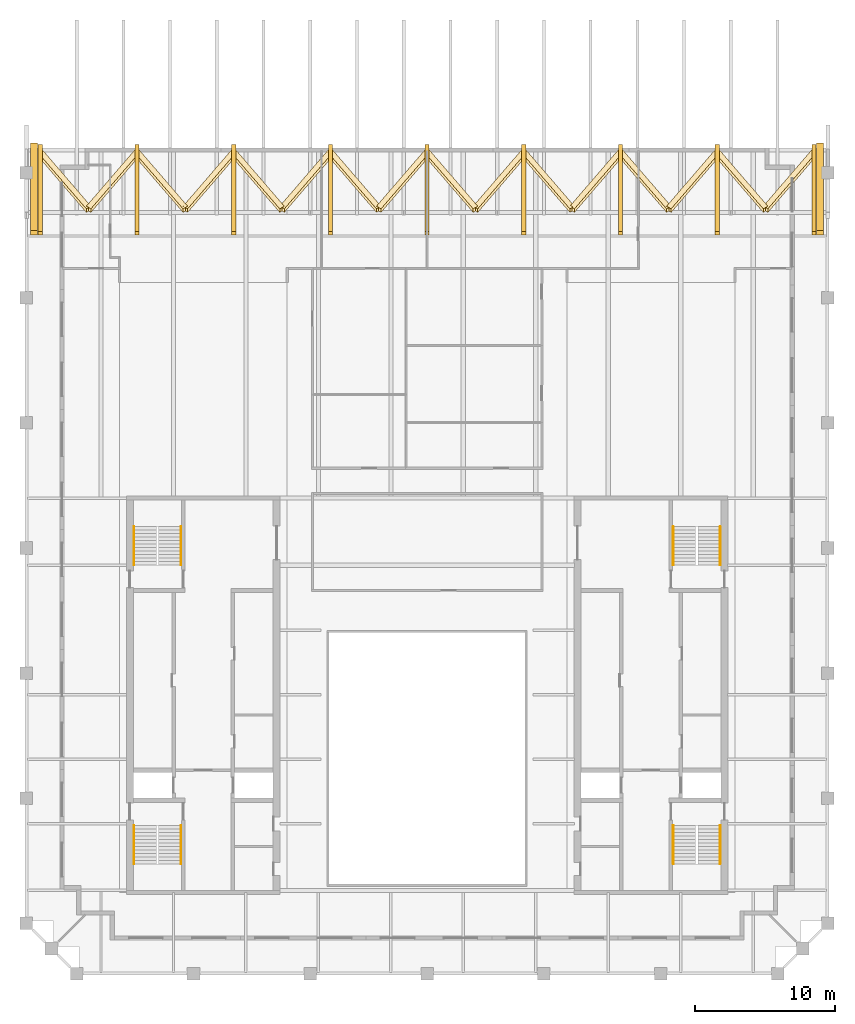
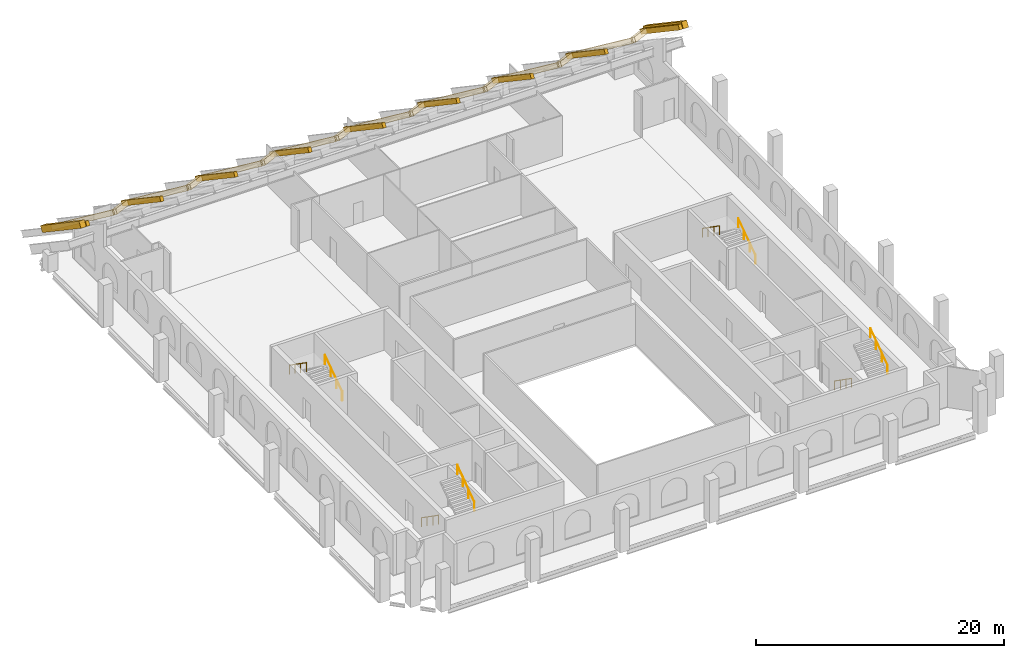
# One storey, part 9 of 9: 27 coverings, 8 railings.
"""IFC4 building model written with IfcOpenShell, lengths in metres."""

from ifc_helpers import new_model, si_unit, direction, frame, origin, origin_2d, place, context, subcontext, project, spatial, rectangle, circle, extrude, material, material_profile, profile_set, type_object, element, save


model = new_model("IFC4")

# Units and contexts
model_context = context("Model", 3, precision=1e-05, world=origin(), true_north=direction((0.0, 1.0)))
body_context = subcontext(model_context, "Body", "Model", "MODEL_VIEW")
ifc_project = project(units=[si_unit("LENGTHUNIT", "METRE"), si_unit("AREAUNIT", "SQUARE_METRE"), si_unit("VOLUMEUNIT", "CUBIC_METRE"), si_unit("PLANEANGLEUNIT", "RADIAN"), si_unit("MASSUNIT", "GRAM", prefix="KILO")], contexts=[model_context])

# Site, building, storey
site_placement = place(None, origin())
site = spatial("IfcSite", under=ifc_project, at=site_placement, CompositionType="ELEMENT")
building_placement = place(site_placement, origin())
building = spatial("IfcBuilding", under=site, at=building_placement, Name="Ogive Exchange Tower", CompositionType="ELEMENT")
storey_placement = place(building_placement, frame((0.0, 0.0, 373.199951171875)))
storey = spatial("IfcBuildingStorey", under=building, at=storey_placement, Name="C02", CompositionType="ELEMENT", Elevation=373.199951171875)

# Railings
ifc_material_1 = material(Name="Stainless steel", Category="steel")
railing_type = type_object("IfcRailingType", Name="Stair handrail 900", PredefinedType="HANDRAIL", material=ifc_material_1)
railing_1_placement = place(storey_placement, frame((-20.949951171875, 2.199951171875, 0.175048828125)))
element("IfcRailing", 1, at=railing_1_placement, inside=storey, type_object=railing_type, Name="C02 ST1 stair handrail 1", PredefinedType="HANDRAIL", context=body_context, shape_type="SweptSolid", body=[
    extrude(circle(Radius=0.02392578125, at=origin_2d()), frame((0.0, 0.0, 0.8759765625), z_axis=(0.0, -0.819225086817, 0.573472106672), x_axis=(1.0, 0.0, 0.0)), (0.0, 0.0, 1.0), 3.35693359375),
    extrude(circle(Radius=0.02099609375, at=origin_2d()), origin(), (0.0, 0.0, 1.0), 0.851806640625),
    extrude(circle(Radius=0.02099609375, at=origin_2d()), frame((0.0, -0.916748046875, 0.6416015625)), (0.0, 0.0, 1.0), 0.851806640625),
    extrude(circle(Radius=0.02099609375, at=origin_2d()), frame((0.0, -1.833251953125, 1.283447265625)), (0.0, 0.0, 1.0), 0.851806640625),
    extrude(circle(Radius=0.02099609375, at=origin_2d()), frame((0.0, -2.75, 1.925048828125)), (0.0, 0.0, 1.0), 0.851806640625),
])
railing_2_placement = place(storey_placement, frame((-17.60009765625, -0.550048828125, 2.275146484375)))
element("IfcRailing", 2, at=railing_2_placement, inside=storey, type_object=railing_type, Name="C02 ST1 stair handrail 2", PredefinedType="HANDRAIL", context=body_context, shape_type="SweptSolid", body=[
    extrude(circle(Radius=0.02392578125, at=origin_2d()), frame((0.0, 0.0, 0.8759765625), z_axis=(0.0, 0.819259255306, 0.573423292687), x_axis=(-1.0, 0.0, 0.0)), (0.0, 0.0, 1.0), 3.356689453125),
    extrude(circle(Radius=0.02099609375, at=origin_2d()), origin(), (0.0, 0.0, 1.0), 0.851806640625),
    extrude(circle(Radius=0.02099609375, at=origin_2d()), frame((0.0, 0.916748046875, 0.6416015625)), (0.0, 0.0, 1.0), 0.851806640625),
    extrude(circle(Radius=0.02099609375, at=origin_2d()), frame((0.0, 1.833251953125, 1.283203125)), (0.0, 0.0, 1.0), 0.851806640625),
    extrude(circle(Radius=0.02099609375, at=origin_2d()), frame((0.0, 2.75, 1.9248046875)), (0.0, 0.0, 1.0), 0.851806640625),
])
railing_3_placement = place(storey_placement, frame((-17.60009765625, 20.800048828125, 0.175048828125)))
element("IfcRailing", 3, at=railing_3_placement, inside=storey, type_object=railing_type, Name="C02 ST2 stair handrail 1", PredefinedType="HANDRAIL", context=body_context, shape_type="SweptSolid", body=[
    extrude(circle(Radius=0.02392578125, at=origin_2d()), frame((0.0, 0.0, 0.8759765625), z_axis=(0.0, 0.819225086817, 0.573472106672), x_axis=(-1.0, 0.0, 0.0)), (0.0, 0.0, 1.0), 3.35693359375),
    extrude(circle(Radius=0.02099609375, at=origin_2d()), origin(), (0.0, 0.0, 1.0), 0.851806640625),
    extrude(circle(Radius=0.02099609375, at=origin_2d()), frame((0.0, 0.916748046875, 0.6416015625)), (0.0, 0.0, 1.0), 0.851806640625),
    extrude(circle(Radius=0.02099609375, at=origin_2d()), frame((0.0, 1.833251953125, 1.283447265625)), (0.0, 0.0, 1.0), 0.851806640625),
    extrude(circle(Radius=0.02099609375, at=origin_2d()), frame((0.0, 2.75, 1.925048828125)), (0.0, 0.0, 1.0), 0.851806640625),
])
railing_4_placement = place(storey_placement, frame((-20.949951171875, 23.550048828125, 2.275146484375)))
element("IfcRailing", 4, at=railing_4_placement, inside=storey, type_object=railing_type, Name="C02 ST2 stair handrail 2", PredefinedType="HANDRAIL", context=body_context, shape_type="SweptSolid", body=[
    extrude(circle(Radius=0.02392578125, at=origin_2d()), frame((0.0, 0.0, 0.8759765625), z_axis=(0.0, -0.819259255306, 0.573423292687), x_axis=(1.0, 0.0, 0.0)), (0.0, 0.0, 1.0), 3.356689453125),
    extrude(circle(Radius=0.02099609375, at=origin_2d()), origin(), (0.0, 0.0, 1.0), 0.851806640625),
    extrude(circle(Radius=0.02099609375, at=origin_2d()), frame((0.0, -0.916748046875, 0.6416015625)), (0.0, 0.0, 1.0), 0.851806640625),
    extrude(circle(Radius=0.02099609375, at=origin_2d()), frame((0.0, -1.833251953125, 1.283203125)), (0.0, 0.0, 1.0), 0.851806640625),
    extrude(circle(Radius=0.02099609375, at=origin_2d()), frame((0.0, -2.75, 1.9248046875)), (0.0, 0.0, 1.0), 0.851806640625),
])
railing_5_placement = place(storey_placement, frame((17.60009765625, 2.199951171875, 0.175048828125)))
element("IfcRailing", 5, at=railing_5_placement, inside=storey, type_object=railing_type, Name="C02 ST3 stair handrail 1", PredefinedType="HANDRAIL", context=body_context, shape_type="SweptSolid", body=[
    extrude(circle(Radius=0.02392578125, at=origin_2d()), frame((0.0, 0.0, 0.8759765625), z_axis=(0.0, -0.819225086817, 0.573472106672), x_axis=(1.0, 0.0, 0.0)), (0.0, 0.0, 1.0), 3.35693359375),
    extrude(circle(Radius=0.02099609375, at=origin_2d()), origin(), (0.0, 0.0, 1.0), 0.851806640625),
    extrude(circle(Radius=0.02099609375, at=origin_2d()), frame((0.0, -0.916748046875, 0.6416015625)), (0.0, 0.0, 1.0), 0.851806640625),
    extrude(circle(Radius=0.02099609375, at=origin_2d()), frame((0.0, -1.833251953125, 1.283447265625)), (0.0, 0.0, 1.0), 0.851806640625),
    extrude(circle(Radius=0.02099609375, at=origin_2d()), frame((0.0, -2.75, 1.925048828125)), (0.0, 0.0, 1.0), 0.851806640625),
])
railing_6_placement = place(storey_placement, frame((20.949951171875, -0.550048828125, 2.275146484375)))
element("IfcRailing", 6, at=railing_6_placement, inside=storey, type_object=railing_type, Name="C02 ST3 stair handrail 2", PredefinedType="HANDRAIL", context=body_context, shape_type="SweptSolid", body=[
    extrude(circle(Radius=0.02392578125, at=origin_2d()), frame((0.0, 0.0, 0.8759765625), z_axis=(0.0, 0.819259255306, 0.573423292687), x_axis=(-1.0, 0.0, 0.0)), (0.0, 0.0, 1.0), 3.356689453125),
    extrude(circle(Radius=0.02099609375, at=origin_2d()), origin(), (0.0, 0.0, 1.0), 0.851806640625),
    extrude(circle(Radius=0.02099609375, at=origin_2d()), frame((0.0, 0.916748046875, 0.6416015625)), (0.0, 0.0, 1.0), 0.851806640625),
    extrude(circle(Radius=0.02099609375, at=origin_2d()), frame((0.0, 1.833251953125, 1.283203125)), (0.0, 0.0, 1.0), 0.851806640625),
    extrude(circle(Radius=0.02099609375, at=origin_2d()), frame((0.0, 2.75, 1.9248046875)), (0.0, 0.0, 1.0), 0.851806640625),
])
railing_7_placement = place(storey_placement, frame((20.949951171875, 20.800048828125, 0.175048828125)))
element("IfcRailing", 7, at=railing_7_placement, inside=storey, type_object=railing_type, Name="C02 ST4 stair handrail 1", PredefinedType="HANDRAIL", context=body_context, shape_type="SweptSolid", body=[
    extrude(circle(Radius=0.02392578125, at=origin_2d()), frame((0.0, 0.0, 0.8759765625), z_axis=(0.0, 0.819225086817, 0.573472106672), x_axis=(-1.0, 0.0, 0.0)), (0.0, 0.0, 1.0), 3.35693359375),
    extrude(circle(Radius=0.02099609375, at=origin_2d()), origin(), (0.0, 0.0, 1.0), 0.851806640625),
    extrude(circle(Radius=0.02099609375, at=origin_2d()), frame((0.0, 0.916748046875, 0.6416015625)), (0.0, 0.0, 1.0), 0.851806640625),
    extrude(circle(Radius=0.02099609375, at=origin_2d()), frame((0.0, 1.833251953125, 1.283447265625)), (0.0, 0.0, 1.0), 0.851806640625),
    extrude(circle(Radius=0.02099609375, at=origin_2d()), frame((0.0, 2.75, 1.925048828125)), (0.0, 0.0, 1.0), 0.851806640625),
])
railing_8_placement = place(storey_placement, frame((17.60009765625, 23.550048828125, 2.275146484375)))
element("IfcRailing", 8, at=railing_8_placement, inside=storey, type_object=railing_type, Name="C02 ST4 stair handrail 2", PredefinedType="HANDRAIL", context=body_context, shape_type="SweptSolid", body=[
    extrude(circle(Radius=0.02392578125, at=origin_2d()), frame((0.0, 0.0, 0.8759765625), z_axis=(0.0, -0.819259255306, 0.573423292687), x_axis=(1.0, 0.0, 0.0)), (0.0, 0.0, 1.0), 3.356689453125),
    extrude(circle(Radius=0.02099609375, at=origin_2d()), origin(), (0.0, 0.0, 1.0), 0.851806640625),
    extrude(circle(Radius=0.02099609375, at=origin_2d()), frame((0.0, -0.916748046875, 0.6416015625)), (0.0, 0.0, 1.0), 0.851806640625),
    extrude(circle(Radius=0.02099609375, at=origin_2d()), frame((0.0, -1.833251953125, 1.283203125)), (0.0, 0.0, 1.0), 0.851806640625),
    extrude(circle(Radius=0.02099609375, at=origin_2d()), frame((0.0, -2.75, 1.9248046875)), (0.0, 0.0, 1.0), 0.851806640625),
])

# Coverings
ifc_material_2 = material(Name="Limestone cladding on precast concrete", Category="masonry")
ifc_material_profile_1 = material_profile(ifc_material_2, rectangle(XDim=0.5, YDim=0.60009765625, at=origin_2d()), Name="CORNICE 500 x 600")
ifc_profile_set_1 = profile_set([ifc_material_profile_1], Name="Limestone cladding on precast concrete")
covering_type_1 = type_object("IfcCoveringType", Name="Stone cornice course 500 x 600", PredefinedType="CLADDING", material=ifc_profile_set_1)
for number, where, z_axis, x_axis, name in (
    (9, (-28.10009765625, 44.569091796875, 6.84912109375), (0.0, 0.829042691827, -0.559185313762), (-1.0, 0.0, 0.0), "Stone cornice course"),
    (10, (28.10009765625, 44.569091796875, 6.84912109375), (0.0, 0.829042691827, -0.559185313762), (-1.0, 0.0, 0.0), "Stone cornice course"),
):
    element("IfcCovering", number, at=place(storey_placement, frame(where, z_axis=z_axis, x_axis=x_axis)), inside=storey, type_object=covering_type_1, Name=name, PredefinedType="CLADDING", context=body_context, shape_type="SweptSolid", body=[
        extrude(rectangle(XDim=0.5, YDim=0.60009765625, at=origin_2d()), origin(), (0.0, 0.0, 1.0), 7.5107421875),
    ])
ifc_material_profile_2 = material_profile(ifc_material_2, rectangle(XDim=0.300048828125, YDim=0.449951171875, at=origin_2d()), Name="RIB 300 x 450")
ifc_profile_set_2 = profile_set([ifc_material_profile_2], Name="Limestone cladding on precast concrete")
covering_type_2 = type_object("IfcCoveringType", Name="Stone roof rib 300 x 450", PredefinedType="CLADDING", material=ifc_profile_set_2)
for number, where, z_axis, x_axis, name in (
    (11, (-27.64990234375, 50.75390625, 2.5859375), (0.0, -0.828967346188, 0.559297004242), (1.0, 0.0, 0.0), "Stone roof rib"),
    (12, (-20.737060546875, 50.75390625, 2.5859375), (0.0, -0.828967346188, 0.559297004242), (1.0, 0.0, 0.0), "Stone roof rib"),
    (13, (-13.824951171875, 50.75390625, 2.5859375), (0.0, -0.828967346188, 0.559297004242), (1.0, 0.0, 0.0), "Stone roof rib"),
    (14, (-6.9130859375, 50.75390625, 2.5859375), (0.0, -0.828967346188, 0.559297004242), (1.0, 0.0, 0.0), "Stone roof rib"),
    (15, (0.0, 50.75390625, 2.5859375), (0.0, -0.828967346188, 0.559297004242), (1.0, 0.0, 0.0), "Stone roof rib"),
    (16, (6.9130859375, 50.75390625, 2.5859375), (0.0, -0.828967346188, 0.559297004242), (1.0, 0.0, 0.0), "Stone roof rib"),
    (17, (13.824951171875, 50.75390625, 2.5859375), (0.0, -0.828967346188, 0.559297004242), (1.0, 0.0, 0.0), "Stone roof rib"),
    (18, (20.737060546875, 50.75390625, 2.5859375), (0.0, -0.828967346188, 0.559297004242), (1.0, 0.0, 0.0), "Stone roof rib"),
    (19, (27.64990234375, 50.75390625, 2.5859375), (0.0, -0.828967346188, 0.559297004242), (1.0, 0.0, 0.0), "Stone roof rib"),
):
    element("IfcCovering", number, at=place(storey_placement, frame(where, z_axis=z_axis, x_axis=x_axis)), inside=storey, type_object=covering_type_2, Name=name, PredefinedType="CLADDING", context=body_context, shape_type="SweptSolid", body=[
        extrude(rectangle(XDim=0.300048828125, YDim=0.449951171875, at=origin_2d()), origin(), (0.0, 0.0, 1.0), 7.511474609375),
    ])
ifc_material_profile_3 = material_profile(ifc_material_2, rectangle(XDim=0.39990234375, YDim=0.449951171875, at=origin_2d()), Name="TRACERY 400 x 450")
ifc_profile_set_3 = profile_set([ifc_material_profile_3], Name="Limestone cladding on precast concrete")
covering_type_3 = type_object("IfcCoveringType", Name="Stone tracery arch 400 x 450", PredefinedType="CLADDING", material=ifc_profile_set_3)
covering_1_placement = place(storey_placement, frame((-27.64990234375, 50.25390625, 2.924072265625), z_axis=(0.581147534027, -0.674673078535, 0.455064589696), x_axis=(0.813798219588, 0.481769317244, -0.325008896428)))
element("IfcCovering", 20, at=covering_1_placement, inside=storey, type_object=covering_type_3, Name="Stone tracery arch", PredefinedType="CLADDING", context=body_context, shape_type="SweptSolid", body=[
    extrude(rectangle(XDim=0.39990234375, YDim=0.449951171875, at=origin_2d()), origin(), (0.0, 0.0, 1.0), 5.946533203125),
])
covering_2_placement = place(storey_placement, frame((-20.737060546875, 50.25390625, 2.924072265625), z_axis=(-0.581283459948, -0.674592591619, 0.455010301558), x_axis=(0.813701135867, -0.481926443477, 0.325019021853)))
element("IfcCovering", 21, at=covering_2_placement, inside=storey, type_object=covering_type_3, Name="Stone tracery arch", PredefinedType="CLADDING", context=body_context, shape_type="SweptSolid", body=[
    extrude(rectangle(XDim=0.39990234375, YDim=0.449951171875, at=origin_2d()), origin(), (0.0, 0.0, 1.0), 5.947265625),
])
for number, where, z_axis, x_axis, name in (
    (22, (-20.737060546875, 50.25390625, 2.924072265625), (0.581174723103, -0.674656981121, 0.455053732048), (0.813778803618, 0.481820266966, -0.324981982766), "Stone tracery arch"),
    (23, (-13.824951171875, 50.25390625, 2.924072265625), (-0.581174723103, -0.674656981121, 0.455053732048), (0.813778803618, -0.481820266966, 0.324981982766), "Stone tracery arch"),
    (24, (-13.824951171875, 50.25390625, 2.924072265625), (0.581174723103, -0.674656981121, 0.455053732048), (0.813778803618, 0.481820266966, -0.324981982766), "Stone tracery arch"),
):
    element("IfcCovering", number, at=place(storey_placement, frame(where, z_axis=z_axis, x_axis=x_axis)), inside=storey, type_object=covering_type_3, Name=name, PredefinedType="CLADDING", context=body_context, shape_type="SweptSolid", body=[
        extrude(rectangle(XDim=0.39990234375, YDim=0.449951171875, at=origin_2d()), origin(), (0.0, 0.0, 1.0), 5.94677734375),
    ])
covering_3_placement = place(storey_placement, frame((-6.9130859375, 50.25390625, 2.924072265625), z_axis=(-0.581147534027, -0.674673078535, 0.455064589696), x_axis=(0.81379822044, -0.481788837022, 0.324979957735)))
element("IfcCovering", 25, at=covering_3_placement, inside=storey, type_object=covering_type_3, Name="Stone tracery arch", PredefinedType="CLADDING", context=body_context, shape_type="SweptSolid", body=[
    extrude(rectangle(XDim=0.39990234375, YDim=0.449951171875, at=origin_2d()), origin(), (0.0, 0.0, 1.0), 5.946533203125),
])
covering_4_placement = place(storey_placement, frame((-6.9130859375, 50.25390625, 2.924072265625), z_axis=(0.581174723103, -0.674656981121, 0.455053732048), x_axis=(0.813778803219, 0.481800747454, -0.325010921639)))
element("IfcCovering", 26, at=covering_4_placement, inside=storey, type_object=covering_type_3, Name="Stone tracery arch", PredefinedType="CLADDING", context=body_context, shape_type="SweptSolid", body=[
    extrude(rectangle(XDim=0.39990234375, YDim=0.449951171875, at=origin_2d()), origin(), (0.0, 0.0, 1.0), 5.94677734375),
])
for number, where, z_axis, x_axis, name in (
    (27, (0.0, 50.25390625, 2.924072265625), (-0.581283459948, -0.674592591619, 0.455010301558), (0.813701135867, -0.481926443477, 0.325019021853), "Stone tracery arch"),
    (28, (0.0, 50.25390625, 2.924072265625), (0.581283459948, -0.674592591619, 0.455010301558), (0.813701135867, 0.481926443477, -0.325019021853), "Stone tracery arch"),
):
    element("IfcCovering", number, at=place(storey_placement, frame(where, z_axis=z_axis, x_axis=x_axis)), inside=storey, type_object=covering_type_3, Name=name, PredefinedType="CLADDING", context=body_context, shape_type="SweptSolid", body=[
        extrude(rectangle(XDim=0.39990234375, YDim=0.449951171875, at=origin_2d()), origin(), (0.0, 0.0, 1.0), 5.947265625),
    ])
covering_5_placement = place(storey_placement, frame((6.9130859375, 50.25390625, 2.924072265625), z_axis=(-0.581174723103, -0.674656981121, 0.455053732048), x_axis=(0.813778803219, -0.481800747454, 0.325010921639)))
element("IfcCovering", 29, at=covering_5_placement, inside=storey, type_object=covering_type_3, Name="Stone tracery arch", PredefinedType="CLADDING", context=body_context, shape_type="SweptSolid", body=[
    extrude(rectangle(XDim=0.39990234375, YDim=0.449951171875, at=origin_2d()), origin(), (0.0, 0.0, 1.0), 5.94677734375),
])
covering_6_placement = place(storey_placement, frame((6.9130859375, 50.25390625, 2.924072265625), z_axis=(0.581147534027, -0.674673078535, 0.455064589696), x_axis=(0.81379822044, 0.481788837022, -0.324979957735)))
element("IfcCovering", 30, at=covering_6_placement, inside=storey, type_object=covering_type_3, Name="Stone tracery arch", PredefinedType="CLADDING", context=body_context, shape_type="SweptSolid", body=[
    extrude(rectangle(XDim=0.39990234375, YDim=0.449951171875, at=origin_2d()), origin(), (0.0, 0.0, 1.0), 5.946533203125),
])
for number, where, z_axis, x_axis, name in (
    (31, (13.824951171875, 50.25390625, 2.924072265625), (-0.581174723103, -0.674656981121, 0.455053732048), (0.813778803618, -0.481820266966, 0.324981982766), "Stone tracery arch"),
    (32, (13.824951171875, 50.25390625, 2.924072265625), (0.581174723103, -0.674656981121, 0.455053732048), (0.813778803618, 0.481820266966, -0.324981982766), "Stone tracery arch"),
    (33, (20.737060546875, 50.25390625, 2.924072265625), (-0.581174723103, -0.674656981121, 0.455053732048), (0.813778803618, -0.481820266966, 0.324981982766), "Stone tracery arch"),
):
    element("IfcCovering", number, at=place(storey_placement, frame(where, z_axis=z_axis, x_axis=x_axis)), inside=storey, type_object=covering_type_3, Name=name, PredefinedType="CLADDING", context=body_context, shape_type="SweptSolid", body=[
        extrude(rectangle(XDim=0.39990234375, YDim=0.449951171875, at=origin_2d()), origin(), (0.0, 0.0, 1.0), 5.94677734375),
    ])
covering_7_placement = place(storey_placement, frame((20.737060546875, 50.25390625, 2.924072265625), z_axis=(0.581283459948, -0.674592591619, 0.455010301558), x_axis=(0.813701135867, 0.481926443477, -0.325019021853)))
element("IfcCovering", 34, at=covering_7_placement, inside=storey, type_object=covering_type_3, Name="Stone tracery arch", PredefinedType="CLADDING", context=body_context, shape_type="SweptSolid", body=[
    extrude(rectangle(XDim=0.39990234375, YDim=0.449951171875, at=origin_2d()), origin(), (0.0, 0.0, 1.0), 5.947265625),
])
covering_8_placement = place(storey_placement, frame((27.64990234375, 50.25390625, 2.924072265625), z_axis=(-0.581147534027, -0.674673078535, 0.455064589696), x_axis=(0.813798219588, -0.481769317244, 0.325008896428)))
element("IfcCovering", 35, at=covering_8_placement, inside=storey, type_object=covering_type_3, Name="Stone tracery arch", PredefinedType="CLADDING", context=body_context, shape_type="SweptSolid", body=[
    extrude(rectangle(XDim=0.39990234375, YDim=0.449951171875, at=origin_2d()), origin(), (0.0, 0.0, 1.0), 5.946533203125),
])

save(model, "model.ifc")
